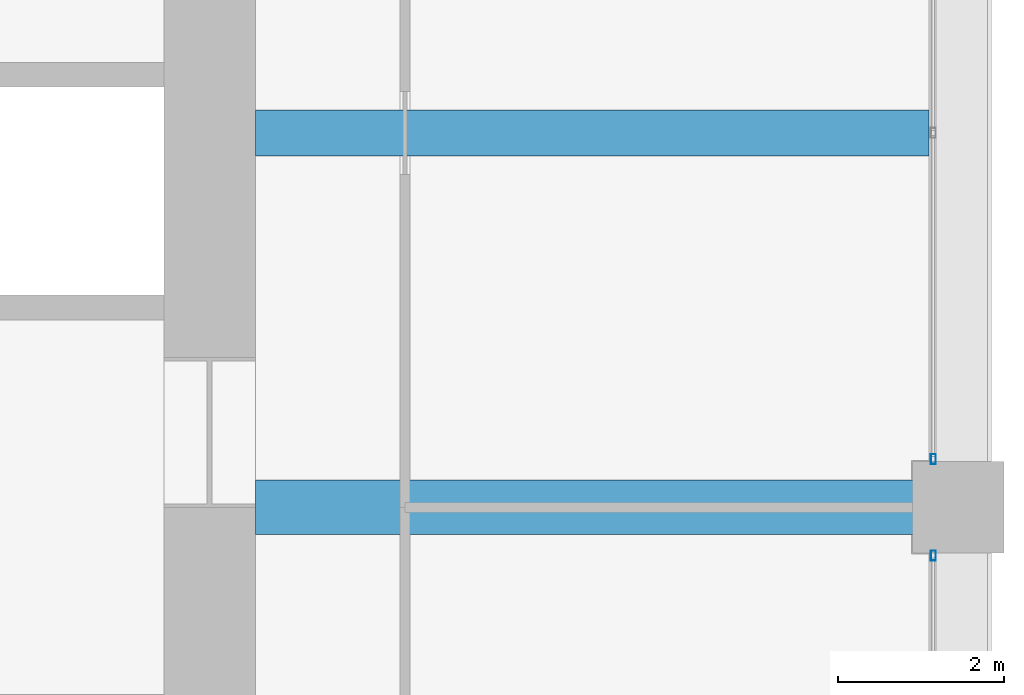
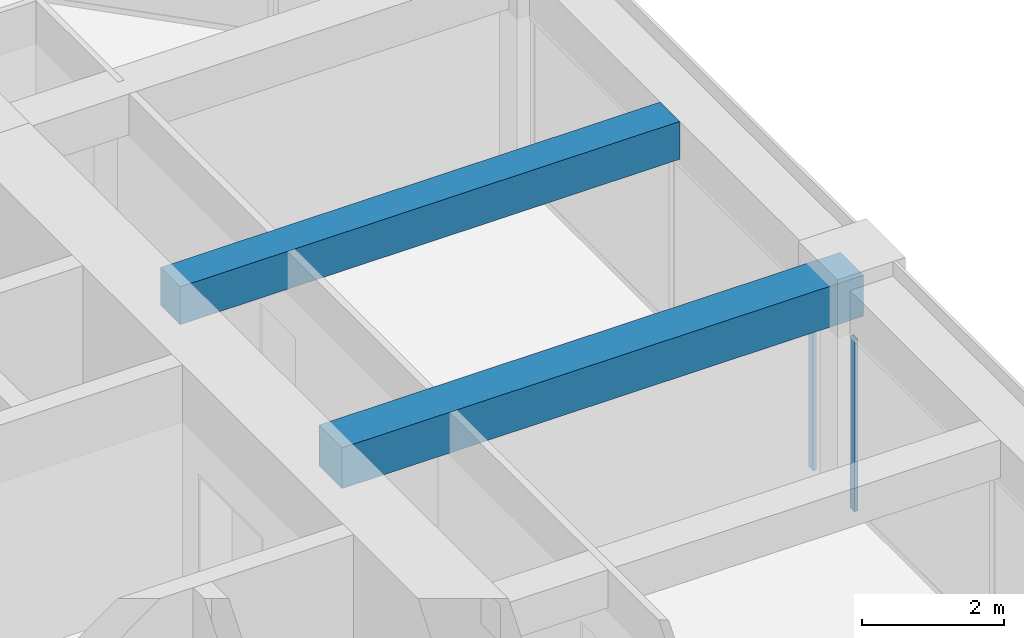
# One storey, part 26 of 44: 2 beams, 2 members, 2 elements without a shape of their own.
"""IFC4 building model written with IfcOpenShell, lengths in metres."""

import ifcopenshell
import ifcopenshell.guid

model = None  # the IFC model being written
_history = None  # IfcOwnerHistory: only IFC2X3 demands one
_inside = {}  # id of a spatial element -> (the spatial element, [elements in it])
_under = {}  # id of a project, library or spatial element -> (it, [spatial elements below it])
_declared = {}  # id of a project -> (the project, [libraries it declares])
_typed = {}  # id of a type object -> (the type object, [elements of that type])
_made_of = {}  # id of a material, layer set ... -> (it, [elements and type objects made of it])


def new_model(schema):
    """Start an empty IFC model of exactly this schema.

    Asked for "IFC4X3", IfcOpenShell would pick the latest addendum, in which some entities
    have other attributes; the version numbers below select the first issue.
    IFC2X3 requires an IfcOwnerHistory on every rooted entity: one is made here for all.
    """
    global model, _history
    if schema == "IFC4X3":
        model = ifcopenshell.file(schema_version=(4, 3, 0, 0))
    else:
        model = ifcopenshell.file(schema=schema)
    _inside.clear()
    _under.clear()
    _declared.clear()
    _typed.clear()
    _made_of.clear()
    _history = None
    if model.schema == "IFC2X3":
        org = make("IfcOrganization", Name="unknown")
        user = make(
            "IfcPersonAndOrganization",
            ThePerson=make("IfcPerson", FamilyName="unknown"),
            TheOrganization=org,
        )
        app = make(
            "IfcApplication",
            ApplicationDeveloper=org,
            Version="unknown",
            ApplicationFullName="unknown",
            ApplicationIdentifier="unknown",
        )
        _history = make(
            "IfcOwnerHistory",
            OwningUser=user,
            OwningApplication=app,
            ChangeAction="ADDED",
            CreationDate=0,
        )
    return model


def make(cls, **values):
    """One entity of the class cls with the attributes given. An attribute that is None is left unset."""
    return model.create_entity(
        cls, **{name: value for name, value in values.items() if value is not None}
    )


def rooted(cls, **values):
    """An entity with a GlobalId (a new one), such as an element, a storey or a relation."""
    return make(cls, GlobalId=ifcopenshell.guid.new(), OwnerHistory=_history, **values)


def si_unit(unit_type, name, prefix=None):
    """IfcSIUnit, for example si_unit("LENGTHUNIT", "METRE", prefix="MILLI")."""
    return make("IfcSIUnit", UnitType=unit_type, Prefix=prefix, Name=name)


def assignment(units):
    """IfcUnitAssignment: the units of a project."""
    return None if units is None else make("IfcUnitAssignment", Units=units)


def point(xyz):
    """IfcCartesianPoint."""
    return None if xyz is None else make("IfcCartesianPoint", Coordinates=xyz)


def direction(xyz):
    """IfcDirection."""
    return None if xyz is None else make("IfcDirection", DirectionRatios=xyz)


def frame(location, z_axis=None, x_axis=None):
    """IfcAxis2Placement3D, a coordinate frame: its origin and axes. An axis left out is left unset."""
    return make(
        "IfcAxis2Placement3D",
        Location=point(location),
        Axis=direction(z_axis),
        RefDirection=direction(x_axis),
    )


def frame_2d(location, x_axis=None):
    """IfcAxis2Placement2D, a coordinate frame in the plane: its origin and x axis."""
    return make(
        "IfcAxis2Placement2D", Location=point(location), RefDirection=direction(x_axis)
    )


def origin():
    """The frame at (0, 0, 0) with its axes left unset."""
    return frame((0.0, 0.0, 0.0))


def origin_2d():
    """The frame at (0, 0) in the plane with its x axis left unset."""
    return frame_2d((0.0, 0.0))


def place(relative_to, where):
    """IfcLocalPlacement: puts the frame where relative to a parent placement (None: the world)."""
    return make(
        "IfcLocalPlacement", PlacementRelTo=relative_to, RelativePlacement=where
    )


def context(
    kind, dimensions, precision=None, world=None, true_north=None, identifier=None
):
    """IfcGeometricRepresentationContext, for example the 3D "Model" context."""
    return make(
        "IfcGeometricRepresentationContext",
        ContextIdentifier=identifier,
        ContextType=kind,
        CoordinateSpaceDimension=dimensions,
        Precision=precision,
        WorldCoordinateSystem=world,
        TrueNorth=true_north,
    )


def subcontext(parent, identifier, kind, view, scale=None):
    """IfcGeometricRepresentationSubContext, for example "Body" below "Model"."""
    return make(
        "IfcGeometricRepresentationSubContext",
        ContextIdentifier=identifier,
        ContextType=kind,
        ParentContext=parent,
        TargetScale=scale,
        TargetView=view,
    )


def project(units=None, contexts=None):
    """IfcProject with its units and contexts."""
    return rooted(
        "IfcProject",
        Name="project",
        RepresentationContexts=contexts,
        UnitsInContext=assignment(units),
    )


def spatial(cls, under=None, at=None, **own):
    """A site, building, storey or space (cls), placed at a placement, below another one or the project."""
    s = rooted(cls, ObjectPlacement=at, **own)
    if under is not None:
        _under.setdefault(under.id(), (under, []))[1].append(s)
    return s


def profile(cls, at=None, kind="AREA", **sizes):
    """A parametric profile (cls). Its sizes go by their IFC names, for example OverallWidth=200.0."""
    return make(cls, ProfileType=kind, Position=at, **sizes)


def rectangle(**sizes):
    """IfcRectangleProfileDef."""
    return profile("IfcRectangleProfileDef", **sizes)


def hollow_rectangle(**sizes):
    """IfcRectangleHollowProfileDef."""
    return profile("IfcRectangleHollowProfileDef", **sizes)


def extrude(swept, where, along, depth):
    """IfcExtrudedAreaSolid: the profile swept, set in the frame where, extruded along a direction by depth."""
    return make(
        "IfcExtrudedAreaSolid",
        SweptArea=swept,
        Position=where,
        ExtrudedDirection=direction(along),
        Depth=depth,
    )


def shape(context_of_items, identifier, shape_type, items):
    """IfcShapeRepresentation: the items that make up one representation, for example the "Body"."""
    return make(
        "IfcShapeRepresentation",
        ContextOfItems=context_of_items,
        RepresentationIdentifier=identifier,
        RepresentationType=shape_type,
        Items=items,
    )


def material(Name=None, Category=None):
    """IfcMaterial."""
    return make("IfcMaterial", Name=Name, Category=Category)


def material_profile(
    of_material, cross_section, Name=None, Category=None, Priority=None
):
    """IfcMaterialProfile: a cross section and its material."""
    return make(
        "IfcMaterialProfile",
        Name=Name,
        Material=of_material,
        Profile=cross_section,
        Priority=Priority,
        Category=Category,
    )


def profile_set(profiles, Name=None, composite=None):
    """IfcMaterialProfileSet."""
    return make(
        "IfcMaterialProfileSet",
        Name=Name,
        MaterialProfiles=profiles,
        CompositeProfile=composite,
    )


def made_of(thing, what):
    """Note that an element or type object is made of a material, layer set ...; save() writes the relation."""
    if what is not None:
        _made_of.setdefault(what.id(), (what, []))[1].append(thing)
    return thing


def type_object(cls, material=None, **own):
    """A type object (cls), such as IfcWallType, which elements share."""
    return made_of(rooted(cls, **own), material)


def element(
    cls,
    number,
    at=None,
    inside=None,
    cuts=None,
    type_object=None,
    material=None,
    context=None,
    identifier="Body",
    shape_type=None,
    held_by="IfcProductDefinitionShape",
    body=None,
    shapes=None,
    **own,
):
    """One element of the class cls, such as IfcWall. Its Tag is "e" and its number.

    at: its placement. inside: the storey or other place that contains it. cuts: it is an
    opening in that element (IfcRelVoidsElement). A single representation is given by context,
    identifier, shape_type and body (its items); several are given by shapes. held_by: the class
    of the entity that holds the representations. save() writes the other relations.
    """
    e = rooted(cls, Tag="e%d" % number, ObjectPlacement=at, **own)
    if body is not None:
        shapes = [shape(context, identifier, shape_type, body)]
    if shapes is not None:
        e.Representation = make(held_by, Representations=shapes)
    if inside is not None:
        _inside.setdefault(inside.id(), (inside, []))[1].append(e)
    if cuts is not None:
        rooted(
            "IfcRelVoidsElement", RelatingBuildingElement=cuts, RelatedOpeningElement=e
        )
    if type_object is not None:
        _typed.setdefault(type_object.id(), (type_object, []))[1].append(e)
    return made_of(e, material)


def aggregate(whole, parts):
    """IfcRelAggregates: a whole, such as a stair, and the parts it consists of."""
    return rooted("IfcRelAggregates", RelatingObject=whole, RelatedObjects=parts)


def save(model, path):
    """Write the relations noted so far, then the file.

    IfcRelAggregates (storeys below a building ...), IfcRelContainedInSpatialStructure (elements
    in a storey), IfcRelDefinesByType, IfcRelAssociatesMaterial and IfcRelDeclares: one each for
    every whole, place, type object, material and project.
    """
    for whole, parts in _under.values():
        aggregate(whole, parts)
    for where, things in _inside.values():
        rooted(
            "IfcRelContainedInSpatialStructure",
            RelatedElements=things,
            RelatingStructure=where,
        )
    for kind, things in _typed.values():
        rooted("IfcRelDefinesByType", RelatedObjects=things, RelatingType=kind)
    for what, things in _made_of.values():
        rooted("IfcRelAssociatesMaterial", RelatedObjects=things, RelatingMaterial=what)
    for by, libraries in _declared.values():
        rooted("IfcRelDeclares", RelatingContext=by, RelatedDefinitions=libraries)
    model.write(path)


model = new_model("IFC4")

# Units and contexts
model_context = context("Model", 3, precision=1e-05, world=origin(), true_north=direction((0.0, 1.0)))
body_context = subcontext(model_context, "Body", "Model", "MODEL_VIEW")
ifc_project = project(units=[si_unit("LENGTHUNIT", "METRE"), si_unit("AREAUNIT", "SQUARE_METRE"), si_unit("VOLUMEUNIT", "CUBIC_METRE"), si_unit("PLANEANGLEUNIT", "RADIAN"), si_unit("MASSUNIT", "GRAM", prefix="KILO")], contexts=[model_context])

# Site, building, storey
site_placement = place(None, origin())
site = spatial("IfcSite", under=ifc_project, at=site_placement, CompositionType="ELEMENT")
building_placement = place(site_placement, origin())
building = spatial("IfcBuilding", under=site, at=building_placement, Name="Zorevar Civic Tower", CompositionType="ELEMENT")
storey_placement = place(building_placement, frame((0.0, 0.0, 275.39990234375)))
storey = spatial("IfcBuildingStorey", under=building, at=storey_placement, Name="L67", CompositionType="ELEMENT", Elevation=275.39990234375)

# Beams
ifc_material_1 = material(Name="Concrete C50/60", Category="concrete")
ifc_material_profile_1 = material_profile(ifc_material_1, rectangle(XDim=0.550048828125, YDim=0.64990234375, at=origin_2d()), Name="RC 550x650")
ifc_profile_set_1 = profile_set([ifc_material_profile_1], Name="Concrete C50/60")
beam_type_1 = type_object("IfcBeamType", Name="Beam RC 550x650", PredefinedType="BEAM", material=ifc_profile_set_1)
beam_1_placement = place(storey_placement, frame((45.550048828125, 31.5, 3.425048828125), z_axis=(1.0, 0.0, 0.0), x_axis=(0.0, 1.0, 0.0)))
element("IfcBeam", 1, at=beam_1_placement, inside=storey, type_object=beam_type_1, Name="Secondary beam L68", PredefinedType="BEAM", context=body_context, shape_type="SweptSolid", body=[
    extrude(rectangle(XDim=0.550048828125, YDim=0.64990234375, at=origin_2d()), origin(), (0.0, 0.0, 1.0), 8.099853515625),
])
ifc_material_2 = material(Name="Concrete C50/60", Category="concrete")
ifc_material_profile_2 = material_profile(ifc_material_2, rectangle(XDim=0.64990234375, YDim=0.699951171875, at=origin_2d()), Name="RC 650x700")
ifc_profile_set_2 = profile_set([ifc_material_profile_2], Name="Concrete C50/60")
beam_type_2 = type_object("IfcBeamType", Name="Beam RC 650x700", PredefinedType="BEAM", material=ifc_profile_set_2)
beam_2_placement = place(storey_placement, frame((45.550048828125, 27.0, 3.400146484375), z_axis=(1.0, 0.0, 0.0), x_axis=(0.0, 1.0, 0.0)))
element("IfcBeam", 2, at=beam_2_placement, inside=storey, type_object=beam_type_2, Name="Girder L68", PredefinedType="BEAM", context=body_context, shape_type="SweptSolid", body=[
    extrude(rectangle(XDim=0.64990234375, YDim=0.699951171875, at=origin_2d()), origin(), (0.0, 0.0, 1.0), 8.449951171875),
])

# Curtain wall, member
ifc_material_3 = material(Name="Dark grey solar-control glass in black aluminium frame", Category="aluminium")
curtain_wall_type = type_object("IfcCurtainWallType", Name="Curtain wall CW5 top zone", PredefinedType="NOTDEFINED", material=ifc_material_3)
curtain_wall_1_placement = place(storey_placement, origin())
curtain_wall_1 = element("IfcCurtainWall", 3, at=curtain_wall_1_placement, inside=storey, type_object=curtain_wall_type, Name="CW5 L67", PredefinedType="NOTDEFINED")
ifc_material_4 = material(Name="Aluminium, black anodised", Category="aluminium")
ifc_material_profile_3 = material_profile(ifc_material_4, hollow_rectangle(XDim=0.06005859375, YDim=0.1201171875, WallThickness=0.0029296875, at=origin_2d()), Name="AL 120x60x3")
ifc_profile_set_3 = profile_set([ifc_material_profile_3], Name="Aluminium, black anodised")
member_type = type_object("IfcMemberType", Name="CW5 mullion AL 120x60x3", PredefinedType="MULLION", material=ifc_profile_set_3)
member_1_placement = place(storey_placement, frame((53.699951171875, 26.419921875, 0.0), z_axis=(0.0, 0.0, 1.0), x_axis=(-1.0, 0.0, 0.0)))
member_1 = element("IfcMember", 4, at=member_1_placement, type_object=member_type, Name="CW5 mullion 3", PredefinedType="MULLION", context=body_context, shape_type="SweptSolid", body=[
    extrude(hollow_rectangle(XDim=0.06005859375, YDim=0.1201171875, WallThickness=0.0029296875, at=origin_2d()), origin(), (0.0, 0.0, 1.0), 2.9501953125),
])
aggregate(curtain_wall_1, [member_1])

curtain_wall_2_placement = place(storey_placement, origin())
curtain_wall_2 = element("IfcCurtainWall", 5, at=curtain_wall_2_placement, inside=storey, type_object=curtain_wall_type, Name="CW5 L67", PredefinedType="NOTDEFINED")
member_2_placement = place(storey_placement, frame((53.699951171875, 27.580078125, 0.0), z_axis=(0.0, 0.0, 1.0), x_axis=(-1.0, 0.0, 0.0)))
member_2 = element("IfcMember", 6, at=member_2_placement, type_object=member_type, Name="CW5 mullion 1", PredefinedType="MULLION", context=body_context, shape_type="SweptSolid", body=[
    extrude(hollow_rectangle(XDim=0.06005859375, YDim=0.1201171875, WallThickness=0.0029296875, at=origin_2d()), origin(), (0.0, 0.0, 1.0), 2.9501953125),
])
aggregate(curtain_wall_2, [member_2])

save(model, "model.ifc")
